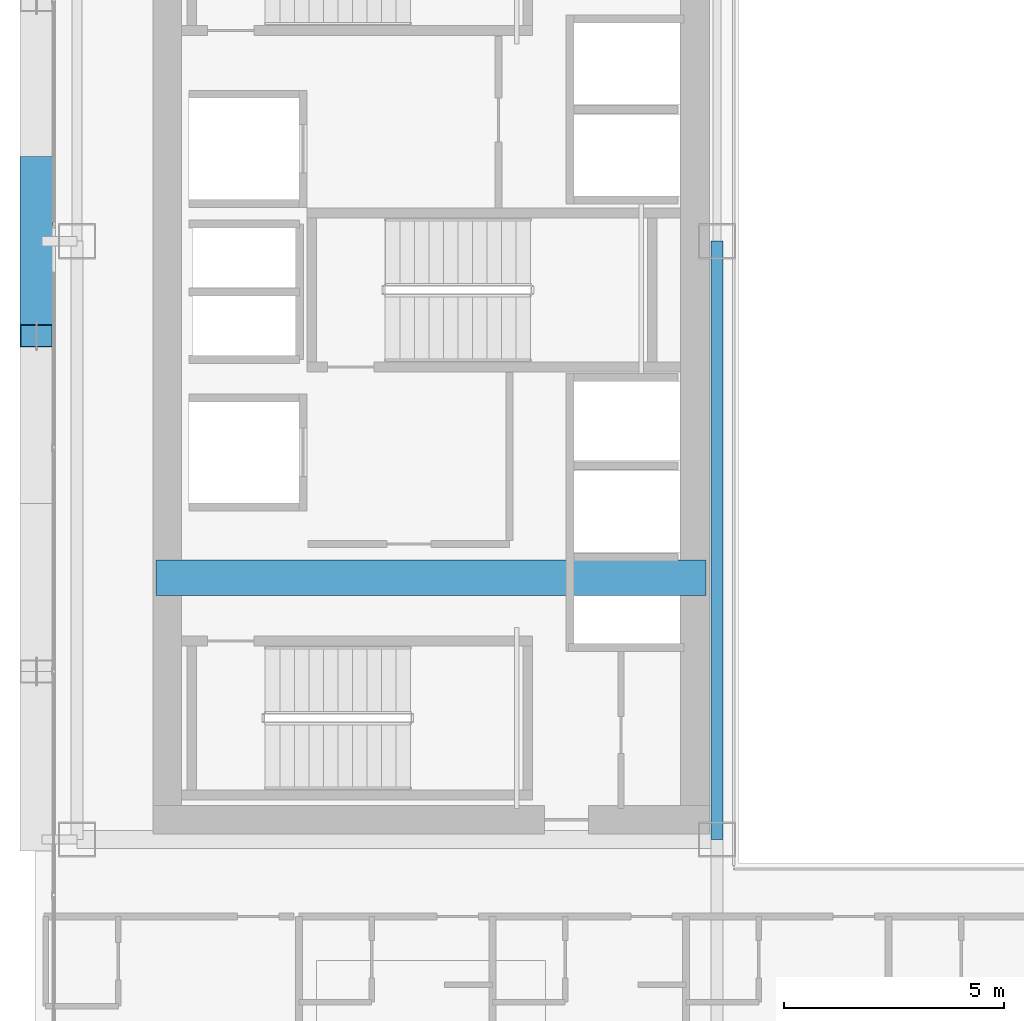
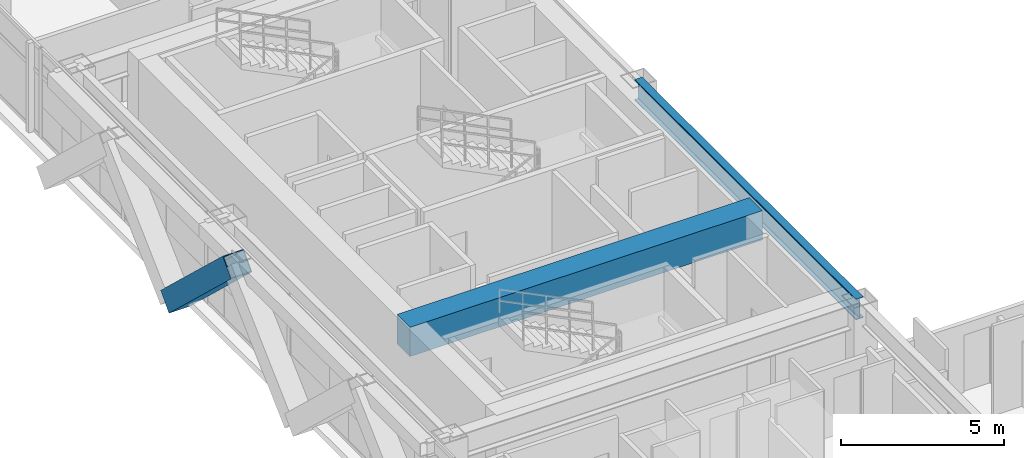
# One storey, part 7 of 36: 2 beams, 1 member.
"""IFC4 building model written with IfcOpenShell, lengths in metres."""

import ifcopenshell
import ifcopenshell.guid

model = None  # the IFC model being written
_history = None  # IfcOwnerHistory: only IFC2X3 demands one
_inside = {}  # id of a spatial element -> (the spatial element, [elements in it])
_under = {}  # id of a project, library or spatial element -> (it, [spatial elements below it])
_declared = {}  # id of a project -> (the project, [libraries it declares])
_typed = {}  # id of a type object -> (the type object, [elements of that type])
_made_of = {}  # id of a material, layer set ... -> (it, [elements and type objects made of it])


def new_model(schema):
    """Start an empty IFC model of exactly this schema.

    Asked for "IFC4X3", IfcOpenShell would pick the latest addendum, in which some entities
    have other attributes; the version numbers below select the first issue.
    IFC2X3 requires an IfcOwnerHistory on every rooted entity: one is made here for all.
    """
    global model, _history
    if schema == "IFC4X3":
        model = ifcopenshell.file(schema_version=(4, 3, 0, 0))
    else:
        model = ifcopenshell.file(schema=schema)
    _inside.clear()
    _under.clear()
    _declared.clear()
    _typed.clear()
    _made_of.clear()
    _history = None
    if model.schema == "IFC2X3":
        org = make("IfcOrganization", Name="unknown")
        user = make(
            "IfcPersonAndOrganization",
            ThePerson=make("IfcPerson", FamilyName="unknown"),
            TheOrganization=org,
        )
        app = make(
            "IfcApplication",
            ApplicationDeveloper=org,
            Version="unknown",
            ApplicationFullName="unknown",
            ApplicationIdentifier="unknown",
        )
        _history = make(
            "IfcOwnerHistory",
            OwningUser=user,
            OwningApplication=app,
            ChangeAction="ADDED",
            CreationDate=0,
        )
    return model


def make(cls, **values):
    """One entity of the class cls with the attributes given. An attribute that is None is left unset."""
    return model.create_entity(
        cls, **{name: value for name, value in values.items() if value is not None}
    )


def rooted(cls, **values):
    """An entity with a GlobalId (a new one), such as an element, a storey or a relation."""
    return make(cls, GlobalId=ifcopenshell.guid.new(), OwnerHistory=_history, **values)


def si_unit(unit_type, name, prefix=None):
    """IfcSIUnit, for example si_unit("LENGTHUNIT", "METRE", prefix="MILLI")."""
    return make("IfcSIUnit", UnitType=unit_type, Prefix=prefix, Name=name)


def assignment(units):
    """IfcUnitAssignment: the units of a project."""
    return None if units is None else make("IfcUnitAssignment", Units=units)


def point(xyz):
    """IfcCartesianPoint."""
    return None if xyz is None else make("IfcCartesianPoint", Coordinates=xyz)


def direction(xyz):
    """IfcDirection."""
    return None if xyz is None else make("IfcDirection", DirectionRatios=xyz)


def frame(location, z_axis=None, x_axis=None):
    """IfcAxis2Placement3D, a coordinate frame: its origin and axes. An axis left out is left unset."""
    return make(
        "IfcAxis2Placement3D",
        Location=point(location),
        Axis=direction(z_axis),
        RefDirection=direction(x_axis),
    )


def frame_2d(location, x_axis=None):
    """IfcAxis2Placement2D, a coordinate frame in the plane: its origin and x axis."""
    return make(
        "IfcAxis2Placement2D", Location=point(location), RefDirection=direction(x_axis)
    )


def origin():
    """The frame at (0, 0, 0) with its axes left unset."""
    return frame((0.0, 0.0, 0.0))


def origin_2d():
    """The frame at (0, 0) in the plane with its x axis left unset."""
    return frame_2d((0.0, 0.0))


def place(relative_to, where):
    """IfcLocalPlacement: puts the frame where relative to a parent placement (None: the world)."""
    return make(
        "IfcLocalPlacement", PlacementRelTo=relative_to, RelativePlacement=where
    )


def context(
    kind, dimensions, precision=None, world=None, true_north=None, identifier=None
):
    """IfcGeometricRepresentationContext, for example the 3D "Model" context."""
    return make(
        "IfcGeometricRepresentationContext",
        ContextIdentifier=identifier,
        ContextType=kind,
        CoordinateSpaceDimension=dimensions,
        Precision=precision,
        WorldCoordinateSystem=world,
        TrueNorth=true_north,
    )


def subcontext(parent, identifier, kind, view, scale=None):
    """IfcGeometricRepresentationSubContext, for example "Body" below "Model"."""
    return make(
        "IfcGeometricRepresentationSubContext",
        ContextIdentifier=identifier,
        ContextType=kind,
        ParentContext=parent,
        TargetScale=scale,
        TargetView=view,
    )


def project(units=None, contexts=None):
    """IfcProject with its units and contexts."""
    return rooted(
        "IfcProject",
        Name="project",
        RepresentationContexts=contexts,
        UnitsInContext=assignment(units),
    )


def spatial(cls, under=None, at=None, **own):
    """A site, building, storey or space (cls), placed at a placement, below another one or the project."""
    s = rooted(cls, ObjectPlacement=at, **own)
    if under is not None:
        _under.setdefault(under.id(), (under, []))[1].append(s)
    return s


def profile(cls, at=None, kind="AREA", **sizes):
    """A parametric profile (cls). Its sizes go by their IFC names, for example OverallWidth=200.0."""
    return make(cls, ProfileType=kind, Position=at, **sizes)


def rectangle(**sizes):
    """IfcRectangleProfileDef."""
    return profile("IfcRectangleProfileDef", **sizes)


def hollow_rectangle(**sizes):
    """IfcRectangleHollowProfileDef."""
    return profile("IfcRectangleHollowProfileDef", **sizes)


def i_section(**sizes):
    """IfcIShapeProfileDef."""
    return profile("IfcIShapeProfileDef", **sizes)


def extrude(swept, where, along, depth):
    """IfcExtrudedAreaSolid: the profile swept, set in the frame where, extruded along a direction by depth."""
    return make(
        "IfcExtrudedAreaSolid",
        SweptArea=swept,
        Position=where,
        ExtrudedDirection=direction(along),
        Depth=depth,
    )


def shape(context_of_items, identifier, shape_type, items):
    """IfcShapeRepresentation: the items that make up one representation, for example the "Body"."""
    return make(
        "IfcShapeRepresentation",
        ContextOfItems=context_of_items,
        RepresentationIdentifier=identifier,
        RepresentationType=shape_type,
        Items=items,
    )


def source(mapping_origin, context_of_items, identifier, shape_type, items):
    """IfcRepresentationMap: a shape defined once, which mapped items show again and again."""
    return make(
        "IfcRepresentationMap",
        MappingOrigin=mapping_origin,
        MappedRepresentation=shape(context_of_items, identifier, shape_type, items),
    )


def transform(
    local_origin,
    x_axis=None,
    y_axis=None,
    z_axis=None,
    scale=None,
    scale2=None,
    scale3=None,
    uniform=True,
):
    """IfcCartesianTransformationOperator3D, or its non-uniform kind. x_axis, y_axis, z_axis: its Axis1, 2, 3."""
    if uniform:
        return make(
            "IfcCartesianTransformationOperator3D",
            Axis1=direction(x_axis),
            Axis2=direction(y_axis),
            LocalOrigin=point(local_origin),
            Scale=scale,
            Axis3=direction(z_axis),
        )
    return make(
        "IfcCartesianTransformationOperator3DnonUniform",
        Axis1=direction(x_axis),
        Axis2=direction(y_axis),
        LocalOrigin=point(local_origin),
        Scale=scale,
        Axis3=direction(z_axis),
        Scale2=scale2,
        Scale3=scale3,
    )


def mapped(mapping_source, mapping_target):
    """IfcMappedItem: shows the shape of a source again, moved by a transform."""
    return make(
        "IfcMappedItem", MappingSource=mapping_source, MappingTarget=mapping_target
    )


def material(Name=None, Category=None):
    """IfcMaterial."""
    return make("IfcMaterial", Name=Name, Category=Category)


def material_profile(
    of_material, cross_section, Name=None, Category=None, Priority=None
):
    """IfcMaterialProfile: a cross section and its material."""
    return make(
        "IfcMaterialProfile",
        Name=Name,
        Material=of_material,
        Profile=cross_section,
        Priority=Priority,
        Category=Category,
    )


def profile_set(profiles, Name=None, composite=None):
    """IfcMaterialProfileSet."""
    return make(
        "IfcMaterialProfileSet",
        Name=Name,
        MaterialProfiles=profiles,
        CompositeProfile=composite,
    )


def made_of(thing, what):
    """Note that an element or type object is made of a material, layer set ...; save() writes the relation."""
    if what is not None:
        _made_of.setdefault(what.id(), (what, []))[1].append(thing)
    return thing


def type_object(cls, material=None, **own):
    """A type object (cls), such as IfcWallType, which elements share."""
    return made_of(rooted(cls, **own), material)


def element(
    cls,
    number,
    at=None,
    inside=None,
    cuts=None,
    type_object=None,
    material=None,
    context=None,
    identifier="Body",
    shape_type=None,
    held_by="IfcProductDefinitionShape",
    body=None,
    shapes=None,
    **own,
):
    """One element of the class cls, such as IfcWall. Its Tag is "e" and its number.

    at: its placement. inside: the storey or other place that contains it. cuts: it is an
    opening in that element (IfcRelVoidsElement). A single representation is given by context,
    identifier, shape_type and body (its items); several are given by shapes. held_by: the class
    of the entity that holds the representations. save() writes the other relations.
    """
    e = rooted(cls, Tag="e%d" % number, ObjectPlacement=at, **own)
    if body is not None:
        shapes = [shape(context, identifier, shape_type, body)]
    if shapes is not None:
        e.Representation = make(held_by, Representations=shapes)
    if inside is not None:
        _inside.setdefault(inside.id(), (inside, []))[1].append(e)
    if cuts is not None:
        rooted(
            "IfcRelVoidsElement", RelatingBuildingElement=cuts, RelatedOpeningElement=e
        )
    if type_object is not None:
        _typed.setdefault(type_object.id(), (type_object, []))[1].append(e)
    return made_of(e, material)


def aggregate(whole, parts):
    """IfcRelAggregates: a whole, such as a stair, and the parts it consists of."""
    return rooted("IfcRelAggregates", RelatingObject=whole, RelatedObjects=parts)


def save(model, path):
    """Write the relations noted so far, then the file.

    IfcRelAggregates (storeys below a building ...), IfcRelContainedInSpatialStructure (elements
    in a storey), IfcRelDefinesByType, IfcRelAssociatesMaterial and IfcRelDeclares: one each for
    every whole, place, type object, material and project.
    """
    for whole, parts in _under.values():
        aggregate(whole, parts)
    for where, things in _inside.values():
        rooted(
            "IfcRelContainedInSpatialStructure",
            RelatedElements=things,
            RelatingStructure=where,
        )
    for kind, things in _typed.values():
        rooted("IfcRelDefinesByType", RelatedObjects=things, RelatingType=kind)
    for what, things in _made_of.values():
        rooted("IfcRelAssociatesMaterial", RelatedObjects=things, RelatingMaterial=what)
    for by, libraries in _declared.values():
        rooted("IfcRelDeclares", RelatingContext=by, RelatedDefinitions=libraries)
    model.write(path)


model = new_model("IFC4")

# Units and contexts
model_context = context("Model", 3, precision=1e-05, world=origin(), true_north=direction((0.0, 1.0)))
body_context = subcontext(model_context, "Body", "Model", "MODEL_VIEW")
ifc_project = project(units=[si_unit("LENGTHUNIT", "METRE"), si_unit("AREAUNIT", "SQUARE_METRE"), si_unit("VOLUMEUNIT", "CUBIC_METRE"), si_unit("PLANEANGLEUNIT", "RADIAN"), si_unit("MASSUNIT", "GRAM", prefix="KILO")], contexts=[model_context])

# Site, building, storey
site_placement = place(None, origin())
site = spatial("IfcSite", under=ifc_project, at=site_placement, CompositionType="ELEMENT")
building_placement = place(site_placement, origin())
building = spatial("IfcBuilding", under=site, at=building_placement, Name="Ocotamira Hotel", CompositionType="ELEMENT")
storey_placement = place(building_placement, frame((0.0, 0.0, 97.199951171875)))
storey = spatial("IfcBuildingStorey", under=building, at=storey_placement, Name="L23", CompositionType="ELEMENT", Elevation=97.199951171875)

# Beams
ifc_material_1 = material(Name="Concrete C60/75", Category="concrete")
ifc_material_profile_1 = material_profile(ifc_material_1, rectangle(XDim=0.800048828125, YDim=1.10009765625, at=origin_2d()), Name="RC800X1100")
ifc_profile_set_1 = profile_set([ifc_material_profile_1], Name="Concrete C60/75")
beam_type_1 = type_object("IfcBeamType", Name="BM-LINK-RC800", PredefinedType="LINTEL", material=ifc_profile_set_1)
shared_shape_1 = source(origin(), body_context, "Body", "SweptSolid", [
    extrude(rectangle(XDim=0.800048828125, YDim=1.10009765625, at=origin_2d()), origin(), (0.0, 0.0, 1.0), 12.5),
])
beam_1_placement = place(storey_placement, frame((10.75, 20.5, 2.81005859375), z_axis=(1.0, 0.0, 0.0), x_axis=(0.0, 1.0, 0.0)))
element("IfcBeam", 1, at=beam_1_placement, inside=storey, type_object=beam_type_1, Name="L23 West Core Coupling Beam", PredefinedType="LINTEL", context=body_context, shape_type="MappedRepresentation", body=[
    mapped(shared_shape_1, transform((0.0, 0.0, 0.0), scale=1.0)),
])
ifc_material_2 = material(Name="Steel ASTM A992 Grade 50", Category="steel")
ifc_material_profile_2 = material_profile(ifc_material_2, i_section(OverallWidth=0.26611328125, OverallDepth=0.779052734375, WebThickness=0.0166015625, FlangeThickness=0.030029296875, FilletRadius=0.01806640625, at=origin_2d()), Name="W30X148")
ifc_profile_set_2 = profile_set([ifc_material_profile_2], Name="Steel ASTM A992 Grade 50")
beam_type_2 = type_object("IfcBeamType", Name="BM-GIRD-W30X148", PredefinedType="BEAM", material=ifc_profile_set_2)
shared_shape_2 = source(origin(), body_context, "Body", "SweptSolid", [
    extrude(i_section(OverallWidth=0.26611328125, OverallDepth=0.779052734375, WebThickness=0.0166015625, FlangeThickness=0.030029296875, FilletRadius=0.01806640625, at=origin_2d()), origin(), (0.0, 0.0, 1.0), 13.599853515625),
])
beam_2_placement = place(storey_placement, frame((23.5, 14.550048828125, 2.970458984375), z_axis=(0.0, 1.0, 0.0), x_axis=(-1.0, 0.0, 0.0)))
element("IfcBeam", 2, at=beam_2_placement, inside=storey, type_object=beam_type_2, Name="L23 Beam X23.5 Y14.55-28.15", PredefinedType="BEAM", context=body_context, shape_type="MappedRepresentation", body=[
    mapped(shared_shape_2, transform((0.0, 0.0, 0.0), scale=1.0)),
])

# Member
ifc_material_3 = material(Name="Pale-metal coated steel ASTM A913 Grade 65", Category="steel")
ifc_material_profile_3 = material_profile(ifc_material_3, hollow_rectangle(XDim=0.75, YDim=0.75, WallThickness=0.028076171875, at=origin_2d()), Name="BOX750X750X28")
ifc_profile_set_3 = profile_set([ifc_material_profile_3], Name="Pale-metal coated steel ASTM A913 Grade 65")
member_type = type_object("IfcMemberType", Name="MEM-EXO-BOX750", PredefinedType="BRACE", material=ifc_profile_set_3)
shared_shape_3 = source(origin(), body_context, "Body", "SweptSolid", [
    extrude(hollow_rectangle(XDim=0.75, YDim=0.75, WallThickness=0.028076171875, at=origin_2d()), origin(), (0.0, 0.0, 1.0), 5.24658203125),
])
member_placement = place(storey_placement, frame((8.030029296875, 29.816650390625, -0.489990234375), z_axis=(0.0, -0.727442733726, 0.686168397078), x_axis=(1.0, 0.0, 0.0)))
element("IfcMember", 3, at=member_placement, inside=storey, type_object=member_type, Name="L23 Exoskeleton Diagrid W1.2", PredefinedType="BRACE", context=body_context, shape_type="MappedRepresentation", body=[
    mapped(shared_shape_3, transform((0.0, 0.0, 0.0), scale=1.0)),
])

save(model, "model.ifc")
